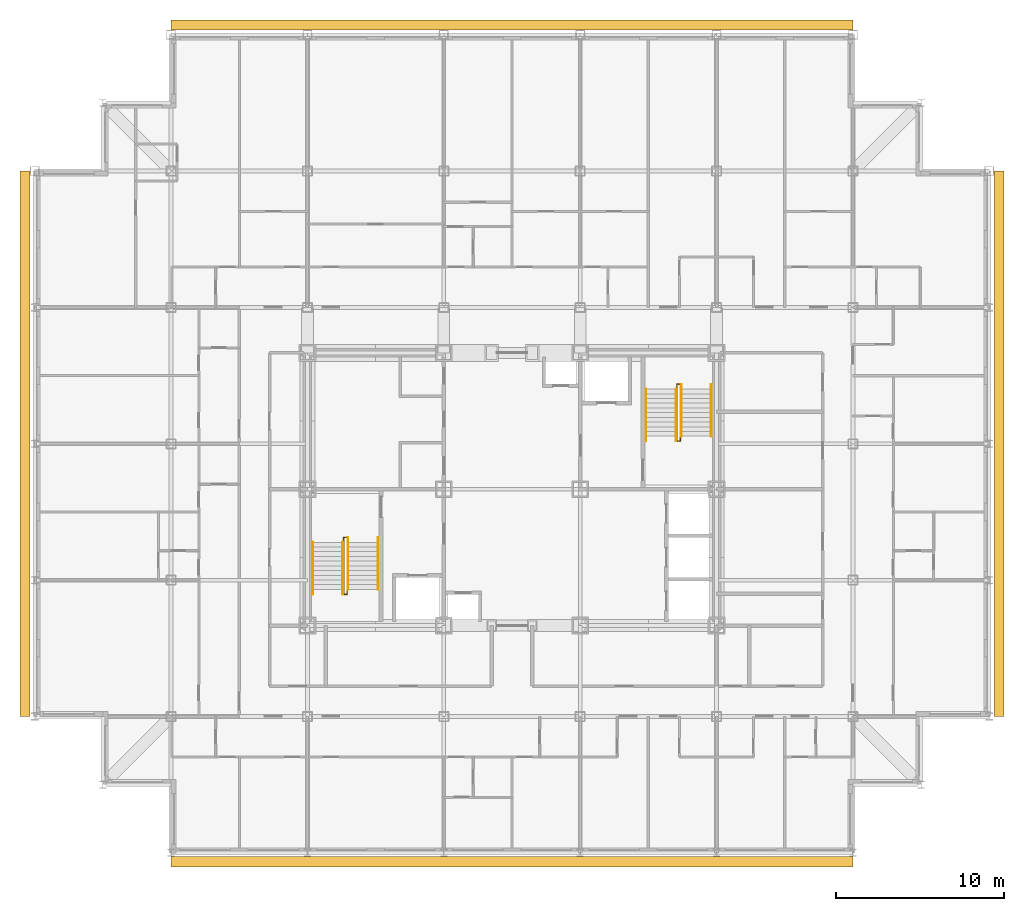
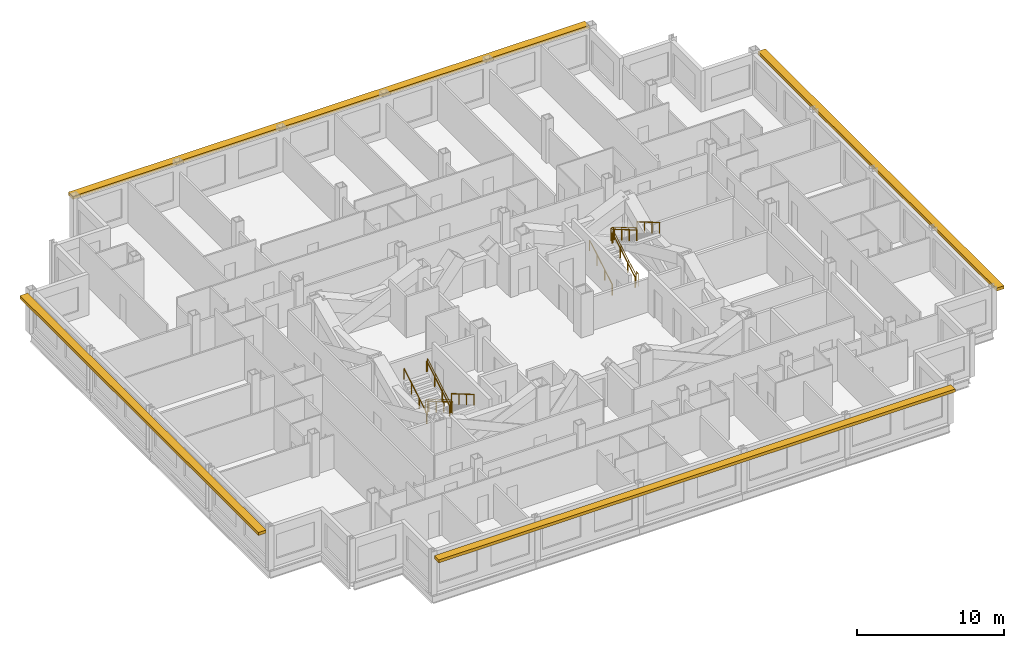
# One storey, part 12 of 12: 10 railings, 4 shading devices.
"""IFC4 building model written with IfcOpenShell, lengths in metres."""

from ifc_helpers import new_model, si_unit, direction, frame, origin, origin_2d, place, context, subcontext, project, spatial, rectangle, circle, extrude, material, type_object, element, save


model = new_model("IFC4")

# Units and contexts
model_context = context("Model", 3, precision=1e-05, world=origin(), true_north=direction((0.0, 1.0)))
body_context = subcontext(model_context, "Body", "Model", "MODEL_VIEW")
ifc_project = project(units=[si_unit("LENGTHUNIT", "METRE"), si_unit("AREAUNIT", "SQUARE_METRE"), si_unit("VOLUMEUNIT", "CUBIC_METRE"), si_unit("PLANEANGLEUNIT", "RADIAN"), si_unit("MASSUNIT", "GRAM", prefix="KILO")], contexts=[model_context])

# Site, building, storey
site_placement = place(None, origin())
site = spatial("IfcSite", under=ifc_project, at=site_placement, CompositionType="ELEMENT")
building_placement = place(site_placement, origin())
building = spatial("IfcBuilding", under=site, at=building_placement, Name="Kopane Lantern Tower", CompositionType="ELEMENT")
storey_placement = place(building_placement, frame((0.0, 0.0, 213.60009765625)))
storey = spatial("IfcBuildingStorey", under=building, at=storey_placement, Name="L55", CompositionType="ELEMENT", Elevation=213.60009765625)

# Railings
ifc_material_1 = material(Name="Steel", Category="steel")
railing_type_1 = type_object("IfcRailingType", Name="STAIR GUARD 1100", PredefinedType="GUARDRAIL", material=ifc_material_1)
railing_1_placement = place(storey_placement, frame((18.35009765625, 29.25, 0.0)))
element("IfcRailing", 1, at=railing_1_placement, inside=storey, type_object=railing_type_1, Name="ST1 well guard L55", PredefinedType="GUARDRAIL", context=body_context, shape_type="SweptSolid", body=[
    extrude(circle(Radius=0.02392578125, at=origin_2d()), frame((0.0, 0.0, 1.076171875), z_axis=(0.0, 1.0, 0.0), x_axis=(-1.0, 0.0, 0.0)), (0.0, 0.0, 1.0), 0.280029296875),
    extrude(circle(Radius=0.02392578125, at=origin_2d()), frame((0.0, 0.280029296875, 1.076171875), z_axis=(1.0, 0.0, 0.0), x_axis=(0.0, 1.0, 0.0)), (0.0, 0.0, 1.0), 0.199951171875),
    extrude(circle(Radius=0.02392578125, at=origin_2d()), frame((0.199951171875, 0.280029296875, 1.076171875), z_axis=(0.0, -0.863401368682, 0.504517667242), x_axis=(1.0, 0.0, 0.0)), (0.0, 0.0, 1.0), 3.5673828125),
    extrude(circle(Radius=0.02392578125, at=origin_2d()), frame((0.199951171875, -2.800048828125, 2.8759765625), z_axis=(0.0, -1.0, 0.0), x_axis=(1.0, 0.0, 0.0)), (0.0, 0.0, 1.0), 0.280029296875),
    extrude(circle(Radius=0.02392578125, at=origin_2d()), frame((0.199951171875, -3.080078125, 2.8759765625), z_axis=(-1.0, 0.0, 0.0), x_axis=(0.0, -1.0, 0.0)), (0.0, 0.0, 1.0), 0.199951171875),
    extrude(circle(Radius=0.02392578125, at=origin_2d()), frame((0.0, -3.080078125, 2.8759765625), z_axis=(0.0, 0.863371556955, 0.504568681787), x_axis=(-1.0, 0.0, 0.0)), (0.0, 0.0, 1.0), 3.5673828125),
    extrude(circle(Radius=0.02099609375, at=origin_2d()), origin(), (0.0, 0.0, 1.0), 1.052001953125),
    extrude(circle(Radius=0.02099609375, at=origin_2d()), frame((0.0, 0.280029296875, 0.0)), (0.0, 0.0, 1.0), 1.052001953125),
    extrude(circle(Radius=0.02099609375, at=origin_2d()), frame((0.199951171875, 0.280029296875, 0.0)), (0.0, 0.0, 1.0), 1.052001953125),
    extrude(circle(Radius=0.02099609375, at=origin_2d()), frame((0.199951171875, -0.74658203125, 0.599853515625)), (0.0, 0.0, 1.0), 1.052001953125),
    extrude(circle(Radius=0.02099609375, at=origin_2d()), frame((0.199951171875, -1.7734375, 1.199951171875)), (0.0, 0.0, 1.0), 1.052001953125),
    extrude(circle(Radius=0.02099609375, at=origin_2d()), frame((0.199951171875, -2.800048828125, 1.7998046875)), (0.0, 0.0, 1.0), 1.052001953125),
    extrude(circle(Radius=0.02099609375, at=origin_2d()), frame((0.199951171875, -3.080078125, 1.7998046875)), (0.0, 0.0, 1.0), 1.052001953125),
    extrude(circle(Radius=0.02099609375, at=origin_2d()), frame((0.0, -3.080078125, 1.7998046875)), (0.0, 0.0, 1.0), 1.052001953125),
    extrude(circle(Radius=0.02099609375, at=origin_2d()), frame((0.0, -2.053466796875, 2.39990234375)), (0.0, 0.0, 1.0), 1.052001953125),
    extrude(circle(Radius=0.02099609375, at=origin_2d()), frame((0.0, -1.026611328125, 2.999755859375)), (0.0, 0.0, 1.0), 1.052001953125),
    extrude(circle(Radius=0.02099609375, at=origin_2d()), frame((0.0, 0.0, 3.599853515625)), (0.0, 0.0, 1.0), 1.052001953125),
])
railing_2_placement = place(storey_placement, frame((38.35009765625, 35.550048828125, 0.0)))
element("IfcRailing", 2, at=railing_2_placement, inside=storey, type_object=railing_type_1, Name="ST2 well guard L55", PredefinedType="GUARDRAIL", context=body_context, shape_type="SweptSolid", body=[
    extrude(circle(Radius=0.02392578125, at=origin_2d()), frame((0.0, 0.0, 1.076171875), z_axis=(0.0, -1.0, 0.0), x_axis=(1.0, 0.0, 0.0)), (0.0, 0.0, 1.0), 0.280029296875),
    extrude(circle(Radius=0.02392578125, at=origin_2d()), frame((0.0, -0.280029296875, 1.076171875), z_axis=(-1.0, 0.0, 0.0), x_axis=(0.0, -1.0, 0.0)), (0.0, 0.0, 1.0), 0.2001953125),
    extrude(circle(Radius=0.02392578125, at=origin_2d()), frame((-0.2001953125, -0.280029296875, 1.076171875), z_axis=(0.0, 0.863401368682, 0.504517667242), x_axis=(-1.0, 0.0, 0.0)), (0.0, 0.0, 1.0), 3.5673828125),
    extrude(circle(Radius=0.02392578125, at=origin_2d()), frame((-0.2001953125, 2.800048828125, 2.8759765625), z_axis=(0.0, 1.0, 0.0), x_axis=(-1.0, 0.0, 0.0)), (0.0, 0.0, 1.0), 0.27978515625),
    extrude(circle(Radius=0.02392578125, at=origin_2d()), frame((-0.2001953125, 3.079833984375, 2.8759765625), z_axis=(1.0, 0.0, 0.0), x_axis=(0.0, 1.0, 0.0)), (0.0, 0.0, 1.0), 0.2001953125),
    extrude(circle(Radius=0.02392578125, at=origin_2d()), frame((0.0, 3.079833984375, 2.8759765625), z_axis=(0.0, -0.863354132664, 0.504598495452), x_axis=(1.0, 0.0, 0.0)), (0.0, 0.0, 1.0), 3.5673828125),
    extrude(circle(Radius=0.02099609375, at=origin_2d()), origin(), (0.0, 0.0, 1.0), 1.052001953125),
    extrude(circle(Radius=0.02099609375, at=origin_2d()), frame((0.0, -0.280029296875, 0.0)), (0.0, 0.0, 1.0), 1.052001953125),
    extrude(circle(Radius=0.02099609375, at=origin_2d()), frame((-0.2001953125, -0.280029296875, 0.0)), (0.0, 0.0, 1.0), 1.052001953125),
    extrude(circle(Radius=0.02099609375, at=origin_2d()), frame((-0.2001953125, 0.74658203125, 0.599853515625)), (0.0, 0.0, 1.0), 1.052001953125),
    extrude(circle(Radius=0.02099609375, at=origin_2d()), frame((-0.2001953125, 1.7734375, 1.199951171875)), (0.0, 0.0, 1.0), 1.052001953125),
    extrude(circle(Radius=0.02099609375, at=origin_2d()), frame((-0.2001953125, 2.800048828125, 1.7998046875)), (0.0, 0.0, 1.0), 1.052001953125),
    extrude(circle(Radius=0.02099609375, at=origin_2d()), frame((-0.2001953125, 3.079833984375, 1.7998046875)), (0.0, 0.0, 1.0), 1.052001953125),
    extrude(circle(Radius=0.02099609375, at=origin_2d()), frame((0.0, 3.079833984375, 1.7998046875)), (0.0, 0.0, 1.0), 1.052001953125),
    extrude(circle(Radius=0.02099609375, at=origin_2d()), frame((0.0, 2.05322265625, 2.39990234375)), (0.0, 0.0, 1.0), 1.052001953125),
    extrude(circle(Radius=0.02099609375, at=origin_2d()), frame((0.0, 1.026611328125, 2.999755859375)), (0.0, 0.0, 1.0), 1.052001953125),
    extrude(circle(Radius=0.02099609375, at=origin_2d()), frame((0.0, 0.0, 3.599853515625)), (0.0, 0.0, 1.0), 1.052001953125),
])
ifc_material_2 = material(Name="Steel", Category="steel")
railing_type_2 = type_object("IfcRailingType", Name="STAIR HANDRAIL 900", PredefinedType="HANDRAIL", material=ifc_material_2)
for number, where, name in (
    (3, (20.389892578125, 29.530029296875, 0.0), "ST1 handrail L55 flight 1"),
    (4, (18.610107421875, 29.530029296875, 0.0), "ST1 handrail L55 flight 1"),
):
    element("IfcRailing", number, at=place(storey_placement, frame(where)), inside=storey, type_object=railing_type_2, Name=name, PredefinedType="HANDRAIL", context=body_context, shape_type="SweptSolid", body=[
        extrude(circle(Radius=0.02392578125, at=origin_2d()), frame((0.0, 0.0, 0.8759765625), z_axis=(0.0, -0.863401368682, 0.504517667242), x_axis=(1.0, 0.0, 0.0)), (0.0, 0.0, 1.0), 3.5673828125),
        extrude(circle(Radius=0.02099609375, at=origin_2d()), origin(), (0.0, 0.0, 1.0), 0.851806640625),
        extrude(circle(Radius=0.02099609375, at=origin_2d()), frame((0.0, -1.026611328125, 0.599853515625)), (0.0, 0.0, 1.0), 0.851806640625),
        extrude(circle(Radius=0.02099609375, at=origin_2d()), frame((0.0, -2.053466796875, 1.199951171875)), (0.0, 0.0, 1.0), 0.851806640625),
        extrude(circle(Radius=0.02099609375, at=origin_2d()), frame((0.0, -3.080078125, 1.7998046875)), (0.0, 0.0, 1.0), 0.851806640625),
    ])
for number, where, name in (
    (5, (16.510009765625, 26.169921875, 1.7998046875), "ST1 handrail L55 flight 2"),
    (6, (18.2900390625, 26.169921875, 1.7998046875), "ST1 handrail L55 flight 2"),
):
    element("IfcRailing", number, at=place(storey_placement, frame(where)), inside=storey, type_object=railing_type_2, Name=name, PredefinedType="HANDRAIL", context=body_context, shape_type="SweptSolid", body=[
        extrude(circle(Radius=0.02392578125, at=origin_2d()), frame((0.0, 0.0, 0.8759765625), z_axis=(0.0, 0.863371556955, 0.504568681787), x_axis=(-1.0, 0.0, 0.0)), (0.0, 0.0, 1.0), 3.5673828125),
        extrude(circle(Radius=0.02099609375, at=origin_2d()), origin(), (0.0, 0.0, 1.0), 0.851806640625),
        extrude(circle(Radius=0.02099609375, at=origin_2d()), frame((0.0, 1.026611328125, 0.60009765625)), (0.0, 0.0, 1.0), 0.851806640625),
        extrude(circle(Radius=0.02099609375, at=origin_2d()), frame((0.0, 2.053466796875, 1.199951171875)), (0.0, 0.0, 1.0), 0.851806640625),
        extrude(circle(Radius=0.02099609375, at=origin_2d()), frame((0.0, 3.080078125, 1.800048828125)), (0.0, 0.0, 1.0), 0.851806640625),
    ])
for number, where, name in (
    (7, (36.31005859375, 35.27001953125, 0.0), "ST2 handrail L55 flight 1"),
    (8, (38.090087890625, 35.27001953125, 0.0), "ST2 handrail L55 flight 1"),
):
    element("IfcRailing", number, at=place(storey_placement, frame(where)), inside=storey, type_object=railing_type_2, Name=name, PredefinedType="HANDRAIL", context=body_context, shape_type="SweptSolid", body=[
        extrude(circle(Radius=0.02392578125, at=origin_2d()), frame((0.0, 0.0, 0.8759765625), z_axis=(0.0, 0.863401368682, 0.504517667242), x_axis=(-1.0, 0.0, 0.0)), (0.0, 0.0, 1.0), 3.5673828125),
        extrude(circle(Radius=0.02099609375, at=origin_2d()), origin(), (0.0, 0.0, 1.0), 0.851806640625),
        extrude(circle(Radius=0.02099609375, at=origin_2d()), frame((0.0, 1.026611328125, 0.599853515625)), (0.0, 0.0, 1.0), 0.851806640625),
        extrude(circle(Radius=0.02099609375, at=origin_2d()), frame((0.0, 2.053466796875, 1.199951171875)), (0.0, 0.0, 1.0), 0.851806640625),
        extrude(circle(Radius=0.02099609375, at=origin_2d()), frame((0.0, 3.080078125, 1.7998046875)), (0.0, 0.0, 1.0), 0.851806640625),
    ])
for number, where, name in (
    (9, (40.18994140625, 38.6298828125, 1.7998046875), "ST2 handrail L55 flight 2"),
    (10, (38.409912109375, 38.6298828125, 1.7998046875), "ST2 handrail L55 flight 2"),
):
    element("IfcRailing", number, at=place(storey_placement, frame(where)), inside=storey, type_object=railing_type_2, Name=name, PredefinedType="HANDRAIL", context=body_context, shape_type="SweptSolid", body=[
        extrude(circle(Radius=0.02392578125, at=origin_2d()), frame((0.0, 0.0, 0.8759765625), z_axis=(0.0, -0.863354132664, 0.504598495452), x_axis=(1.0, 0.0, 0.0)), (0.0, 0.0, 1.0), 3.5673828125),
        extrude(circle(Radius=0.02099609375, at=origin_2d()), origin(), (0.0, 0.0, 1.0), 0.851806640625),
        extrude(circle(Radius=0.02099609375, at=origin_2d()), frame((0.0, -1.026611328125, 0.60009765625)), (0.0, 0.0, 1.0), 0.851806640625),
        extrude(circle(Radius=0.02099609375, at=origin_2d()), frame((0.0, -2.05322265625, 1.199951171875)), (0.0, 0.0, 1.0), 0.851806640625),
        extrude(circle(Radius=0.02099609375, at=origin_2d()), frame((0.0, -3.079833984375, 1.800048828125)), (0.0, 0.0, 1.0), 0.851806640625),
    ])

# Shading devices
ifc_material_3 = material(Name="Terracotta rainscreen on light steel framing", Category="masonry")
shading_device_type = type_object("IfcShadingDeviceType", Name="SUNSHADE BAND SB1 600 TERRACOTTA", PredefinedType="USERDEFINED", material=ifc_material_3)
shading_device_1_placement = place(storey_placement, frame((28.35009765625, 10.272216796875, 3.0), z_axis=(0.0, 0.0, 1.0), x_axis=(1.0, 0.0, 0.0)))
element("IfcShadingDevice", 11, at=shading_device_1_placement, inside=storey, type_object=shading_device_type, Name="Sunshade band S L55", ObjectType="SUNSHADE BAND", PredefinedType="USERDEFINED", context=body_context, shape_type="SweptSolid", body=[
    extrude(rectangle(XDim=40.5, YDim=0.60009765625, at=origin_2d()), origin(), (0.0, 0.0, 1.0), 0.25),
])
shading_device_2_placement = place(storey_placement, frame((57.27490234375, 35.10009765625, 3.0), z_axis=(0.0, 0.0, 1.0), x_axis=(0.0, 1.0, 0.0)))
element("IfcShadingDevice", 12, at=shading_device_2_placement, inside=storey, type_object=shading_device_type, Name="Sunshade band E L55", ObjectType="SUNSHADE BAND", PredefinedType="USERDEFINED", context=body_context, shape_type="SweptSolid", body=[
    extrude(rectangle(XDim=32.39990234375, YDim=0.60009765625, at=origin_2d()), origin(), (0.0, 0.0, 1.0), 0.25),
])
shading_device_3_placement = place(storey_placement, frame((28.35009765625, 59.97509765625, 3.0), z_axis=(0.0, 0.0, 1.0), x_axis=(-1.0, 0.0, 0.0)))
element("IfcShadingDevice", 13, at=shading_device_3_placement, inside=storey, type_object=shading_device_type, Name="Sunshade band N L55", ObjectType="SUNSHADE BAND", PredefinedType="USERDEFINED", context=body_context, shape_type="SweptSolid", body=[
    extrude(rectangle(XDim=40.5, YDim=0.60009765625, at=origin_2d()), origin(), (0.0, 0.0, 1.0), 0.25),
])
shading_device_4_placement = place(storey_placement, frame((-0.574951171875, 35.10009765625, 3.0), z_axis=(0.0, 0.0, 1.0), x_axis=(0.0, -1.0, 0.0)))
element("IfcShadingDevice", 14, at=shading_device_4_placement, inside=storey, type_object=shading_device_type, Name="Sunshade band W L55", ObjectType="SUNSHADE BAND", PredefinedType="USERDEFINED", context=body_context, shape_type="SweptSolid", body=[
    extrude(rectangle(XDim=32.39990234375, YDim=0.60009765625, at=origin_2d()), origin(), (0.0, 0.0, 1.0), 0.25),
])

save(model, "model.ifc")
